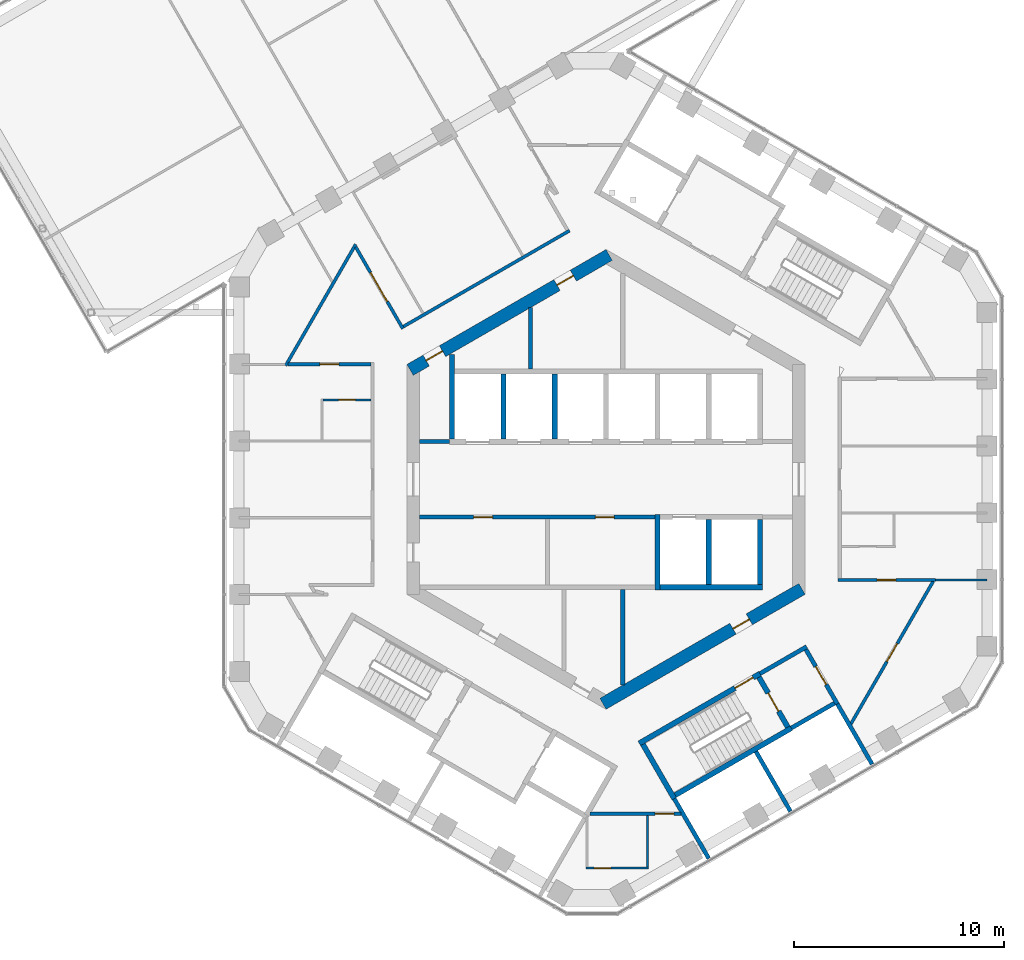
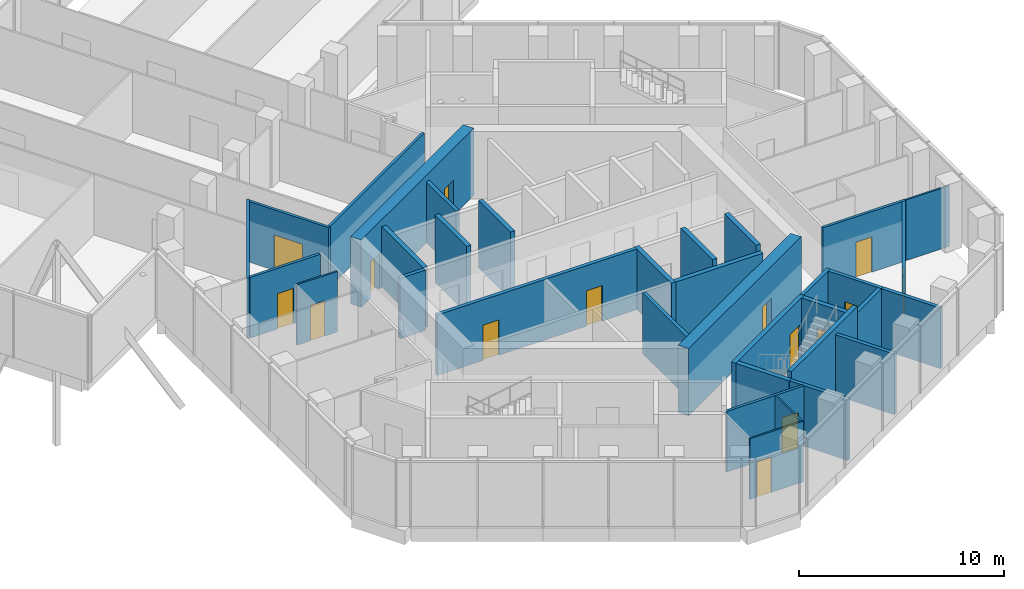
# One storey, part 16 of 21: 34 walls, 15 doors, 15 openings.
"""IFC4 building model written with IfcOpenShell, lengths in metres."""

from ifc_helpers import new_model, si_unit, direction, frame, frame_2d, origin, place, context, subcontext, project, spatial, rectangle, extrude, material, layer, layer_set, type_object, element, fill, save


model = new_model("IFC4")

# Units and contexts
model_context = context("Model", 3, precision=1e-05, world=origin(), true_north=direction((0.0, 1.0)))
body_context = subcontext(model_context, "Body", "Model", "MODEL_VIEW")
ifc_project = project(units=[si_unit("LENGTHUNIT", "METRE"), si_unit("AREAUNIT", "SQUARE_METRE"), si_unit("VOLUMEUNIT", "CUBIC_METRE"), si_unit("PLANEANGLEUNIT", "RADIAN"), si_unit("MASSUNIT", "GRAM", prefix="KILO")], contexts=[model_context])

# Site, building, storey
site_placement = place(None, origin())
site = spatial("IfcSite", under=ifc_project, at=site_placement, CompositionType="ELEMENT")
building_placement = place(site_placement, origin())
building = spatial("IfcBuilding", under=site, at=building_placement, Name="Ayvan Gate Tower", CompositionType="ELEMENT")
storey_placement = place(building_placement, frame((0.0, 0.0, 190.699951171875)))
storey = spatial("IfcBuildingStorey", under=building, at=storey_placement, Name="L51", CompositionType="ELEMENT", Elevation=190.699951171875)

# Wall, openings, doors
ifc_material_1 = material(Name="Concrete C60/75", Category="concrete")
ifc_layer_1 = layer(ifc_material_1, 0.60009765625)
ifc_layer_set_1 = layer_set([ifc_layer_1], Name="Concrete C60/75")
wall_type_1 = type_object("IfcWallType", Name="Core wall 600 C60/75", PredefinedType="SHEAR", material=ifc_layer_set_1)
wall_1_placement = place(storey_placement, frame((0.14990234375, 10.7099609375, 0.0), z_axis=(0.0, 0.0, 1.0), x_axis=(-0.866023993627, -0.500002442456, 0.0)))
wall_1 = element("IfcWall", 1, at=wall_1_placement, inside=storey, type_object=wall_type_1, Name="CORE-L51-2", PredefinedType="SHEAR", context=body_context, shape_type="SweptSolid", body=[
    extrude(rectangle(XDim=10.9697265625, YDim=0.60009765625, at=frame_2d((5.48486328125, 0.0))), origin(), (0.0, 0.0, 1.0), 4.0),
])
opening_1_placement = place(wall_1_placement, frame((9.182373046875, 0.0, 0.0)))
opening_1 = element("IfcOpeningElement", 2, at=opening_1_placement, cuts=wall_1, Name="Opening L51-D45", PredefinedType="OPENING", context=body_context, shape_type="SweptSolid", body=[
    extrude(rectangle(XDim=0.89990234375, YDim=2.10009765625, at=frame_2d((0.449951171875, 1.050048828125))), frame((0.0, 0.31005859375, 0.0), z_axis=(0.0, -1.0, 0.0), x_axis=(1.0, 0.0, 0.0)), (0.0, 0.0, 1.0), 0.6201171875),
])
opening_2_placement = place(wall_1_placement, frame((1.975341796875, 0.0, 0.0)))
opening_2 = element("IfcOpeningElement", 3, at=opening_2_placement, cuts=wall_1, Name="Opening L51-D46", PredefinedType="OPENING", context=body_context, shape_type="SweptSolid", body=[
    extrude(rectangle(XDim=0.89990234375, YDim=2.10009765625, at=frame_2d((0.449951171875, 1.050048828125))), frame((0.0, 0.31005859375, 0.0), z_axis=(0.0, -1.0, 0.0), x_axis=(1.0, 0.0, 0.0)), (0.0, 0.0, 1.0), 0.6201171875),
])
ifc_material_2 = material(Name="Timber door leaf", Category="wood")
door_type_1 = type_object("IfcDoorType", Name="DT-900", OperationType="NOTDEFINED", PredefinedType="DOOR", material=ifc_material_2)
door_1_placement = place(opening_1_placement, origin())
door_1 = element("IfcDoor", 4, at=door_1_placement, inside=storey, type_object=door_type_1, Name="CD-L51-45", OperationType="SINGLE_SWING_RIGHT", OverallHeight=2.10009765625, OverallWidth=0.89990234375, PredefinedType="DOOR", context=body_context, shape_type="SweptSolid", body=[
    extrude(rectangle(XDim=0.89990234375, YDim=2.10009765625, at=frame_2d((0.449951171875, 1.050048828125))), frame((0.0, 0.02490234375, 0.0), z_axis=(0.0, -1.0, 0.0), x_axis=(1.0, 0.0, 0.0)), (0.0, 0.0, 1.0), 0.050048828125),
])
fill(opening_1, door_1)
door_2_placement = place(opening_2_placement, origin())
door_2 = element("IfcDoor", 5, at=door_2_placement, inside=storey, type_object=door_type_1, Name="CD-L51-46", OperationType="SINGLE_SWING_LEFT", OverallHeight=2.10009765625, OverallWidth=0.89990234375, PredefinedType="DOOR", context=body_context, shape_type="SweptSolid", body=[
    extrude(rectangle(XDim=0.89990234375, YDim=2.10009765625, at=frame_2d((0.449951171875, 1.050048828125))), frame((0.0, 0.02490234375, 0.0), z_axis=(0.0, -1.0, 0.0), x_axis=(1.0, 0.0, 0.0)), (0.0, 0.0, 1.0), 0.050048828125),
])
fill(opening_2, door_2)

# Wall, opening, door
wall_2_placement = place(storey_placement, frame((-0.14990234375, -10.7099609375, 0.0), z_axis=(0.0, 0.0, 1.0), x_axis=(0.866023993627, 0.500002442456, 0.0)))
wall_2 = element("IfcWall", 6, at=wall_2_placement, inside=storey, type_object=wall_type_1, Name="CORE-L51-5", PredefinedType="SHEAR", context=body_context, shape_type="SweptSolid", body=[
    extrude(rectangle(XDim=10.9697265625, YDim=0.60009765625, at=frame_2d((5.48486328125, 0.0))), origin(), (0.0, 0.0, 1.0), 4.0),
])
opening_3_placement = place(wall_2_placement, frame((7.165771484375, 0.0, 0.0)))
opening_3 = element("IfcOpeningElement", 7, at=opening_3_placement, cuts=wall_2, Name="Opening L51-D50", PredefinedType="OPENING", context=body_context, shape_type="SweptSolid", body=[
    extrude(rectangle(XDim=0.89990234375, YDim=2.10009765625, at=frame_2d((0.449951171875, 1.050048828125))), frame((0.0, 0.31005859375, 0.0), z_axis=(0.0, -1.0, 0.0), x_axis=(1.0, 0.0, 0.0)), (0.0, 0.0, 1.0), 0.6201171875),
])
door_3_placement = place(opening_3_placement, origin())
door_3 = element("IfcDoor", 8, at=door_3_placement, inside=storey, type_object=door_type_1, Name="CD-L51-50", OperationType="SINGLE_SWING_LEFT", OverallHeight=2.10009765625, OverallWidth=0.89990234375, PredefinedType="DOOR", context=body_context, shape_type="SweptSolid", body=[
    extrude(rectangle(XDim=0.89990234375, YDim=2.10009765625, at=frame_2d((0.449951171875, 1.050048828125))), frame((0.0, 0.02490234375, 0.0), z_axis=(0.0, -1.0, 0.0), x_axis=(1.0, 0.0, 0.0)), (0.0, 0.0, 1.0), 0.050048828125),
])
fill(opening_3, door_3)

# Wall
ifc_material_3 = material(Name="Plasterboard on steel stud", Category="steel")
ifc_layer_2 = layer(ifc_material_3, 0.14990234375)
ifc_layer_set_2 = layer_set([ifc_layer_2], Name="Plasterboard on steel stud")
wall_type_2 = type_object("IfcWallType", Name="WT-CORR-150", PredefinedType="PARTITIONING", material=ifc_layer_set_2)
wall_3_placement = place(storey_placement, frame((-15.288330078125, 5.425537109375, 0.0), z_axis=(0.0, 0.0, 1.0), x_axis=(0.499991080761, 0.866030553248, 0.0)))
element("IfcWall", 9, at=wall_3_placement, inside=storey, type_object=wall_type_2, Name="IW-L51-006", PredefinedType="PARTITIONING", context=body_context, shape_type="SweptSolid", body=[
    extrude(rectangle(XDim=6.68701171875, YDim=0.14990234375, at=frame_2d((3.343505859375, 0.0))), origin(), (0.0, 0.0, 1.0), 3.60009765625),
])

# Wall, opening, door
wall_4_placement = place(storey_placement, frame((-11.94482421875, 11.0869140625, 0.0), z_axis=(0.0, 0.0, 1.0), x_axis=(0.499962028372, -0.866047325604, 0.0)))
wall_4 = element("IfcWall", 10, at=wall_4_placement, inside=storey, type_object=wall_type_2, Name="IW-L51-020", PredefinedType="PARTITIONING", context=body_context, shape_type="SweptSolid", body=[
    extrude(rectangle(XDim=4.498779296875, YDim=0.14990234375, at=frame_2d((2.24951171875, 0.0))), origin(), (0.0, 0.0, 1.0), 3.60009765625),
])
opening_4_placement = place(wall_4_placement, frame((1.411865234375, 0.0, 0.0)))
opening_4 = element("IfcOpeningElement", 11, at=opening_4_placement, cuts=wall_4, Name="Opening L51-D35", PredefinedType="OPENING", context=body_context, shape_type="SweptSolid", body=[
    extrude(rectangle(XDim=1.60009765625, YDim=2.10009765625, at=frame_2d((0.800048828125, 1.050048828125))), frame((0.0, 0.0849609375, 0.0), z_axis=(0.0, -1.0, 0.0), x_axis=(1.0, 0.0, 0.0)), (0.0, 0.0, 1.0), 0.169921875),
])
door_type_2 = type_object("IfcDoorType", Name="DT-1600", OperationType="NOTDEFINED", PredefinedType="DOOR", material=ifc_material_2)
door_4_placement = place(opening_4_placement, origin())
door_4 = element("IfcDoor", 12, at=door_4_placement, inside=storey, type_object=door_type_2, Name="ID-L51-035", OperationType="SINGLE_SWING_RIGHT", OverallHeight=2.10009765625, OverallWidth=1.60009765625, PredefinedType="DOOR", context=body_context, shape_type="SweptSolid", body=[
    extrude(rectangle(XDim=1.60009765625, YDim=2.10009765625, at=frame_2d((0.800048828125, 1.050048828125))), frame((0.0, 0.02490234375, 0.0), z_axis=(0.0, -1.0, 0.0), x_axis=(1.0, 0.0, 0.0)), (0.0, 0.0, 1.0), 0.050048828125),
])
fill(opening_4, door_4)

wall_5_placement = place(storey_placement, frame((-11.22509765625, 5.490478515625, 0.0), z_axis=(0.0, 0.0, 1.0), x_axis=(-1.0, 0.0, 0.0)))
wall_5 = element("IfcWall", 13, at=wall_5_placement, inside=storey, type_object=wall_type_2, Name="IW-L51-024", PredefinedType="PARTITIONING", context=body_context, shape_type="SweptSolid", body=[
    extrude(rectangle(XDim=3.95068359375, YDim=0.14990234375, at=frame_2d((1.975341796875, 0.0))), origin(), (0.0, 0.0, 1.0), 3.60009765625),
])
opening_5_placement = place(wall_5_placement, frame((1.525390625, 0.0, 0.0)))
opening_5 = element("IfcOpeningElement", 14, at=opening_5_placement, cuts=wall_5, Name="Opening L51-D26", PredefinedType="OPENING", context=body_context, shape_type="SweptSolid", body=[
    extrude(rectangle(XDim=0.89990234375, YDim=2.10009765625, at=frame_2d((0.449951171875, 1.050048828125))), frame((0.0, 0.0849609375, 0.0), z_axis=(0.0, -1.0, 0.0), x_axis=(1.0, 0.0, 0.0)), (0.0, 0.0, 1.0), 0.169921875),
])
door_5_placement = place(opening_5_placement, origin())
door_5 = element("IfcDoor", 15, at=door_5_placement, inside=storey, type_object=door_type_1, Name="ID-L51-026", OperationType="SINGLE_SWING_LEFT", OverallHeight=2.10009765625, OverallWidth=0.89990234375, PredefinedType="DOOR", context=body_context, shape_type="SweptSolid", body=[
    extrude(rectangle(XDim=0.89990234375, YDim=2.10009765625, at=frame_2d((0.449951171875, 1.050048828125))), frame((0.0, 0.02490234375, 0.0), z_axis=(0.0, -1.0, 0.0), x_axis=(1.0, 0.0, 0.0)), (0.0, 0.0, 1.0), 0.050048828125),
])
fill(opening_5, door_5)

# Wall
wall_6_placement = place(storey_placement, frame((-9.66796875, 7.293212890625, 0.0), z_axis=(0.0, 0.0, 1.0), x_axis=(0.866028335764, 0.499994921628, 0.0)))
element("IfcWall", 16, at=wall_6_placement, inside=storey, type_object=wall_type_2, Name="IW-L51-027", PredefinedType="PARTITIONING", context=body_context, shape_type="SweptSolid", body=[
    extrude(rectangle(XDim=9.15234375, YDim=0.14990234375, at=frame_2d((4.576171875, 0.0))), origin(), (0.0, 0.0, 1.0), 3.60009765625),
])

# Wall, opening, door
wall_7_placement = place(storey_placement, frame((-0.771484375, -15.952880859375, 0.0), z_axis=(0.0, 0.0, 1.0), x_axis=(1.0, 0.0, 0.0)))
wall_7 = element("IfcWall", 17, at=wall_7_placement, inside=storey, type_object=wall_type_2, Name="IW-L51-071", PredefinedType="PARTITIONING", context=body_context, shape_type="SweptSolid", body=[
    extrude(rectangle(XDim=4.33935546875, YDim=0.14990234375, at=frame_2d((2.169677734375, 0.0))), origin(), (0.0, 0.0, 1.0), 3.60009765625),
])
opening_6_placement = place(wall_7_placement, frame((3.113037109375, 0.0, 0.0)))
opening_6 = element("IfcOpeningElement", 18, at=opening_6_placement, cuts=wall_7, Name="Opening L51-D31", PredefinedType="OPENING", context=body_context, shape_type="SweptSolid", body=[
    extrude(rectangle(XDim=0.89990234375, YDim=2.10009765625, at=frame_2d((0.449951171875, 1.050048828125))), frame((0.0, 0.0849609375, 0.0), z_axis=(0.0, -1.0, 0.0), x_axis=(1.0, 0.0, 0.0)), (0.0, 0.0, 1.0), 0.169921875),
])
door_6_placement = place(opening_6_placement, origin())
door_6 = element("IfcDoor", 19, at=door_6_placement, inside=storey, type_object=door_type_1, Name="ID-L51-031", OperationType="SINGLE_SWING_RIGHT", OverallHeight=2.10009765625, OverallWidth=0.89990234375, PredefinedType="DOOR", context=body_context, shape_type="SweptSolid", body=[
    extrude(rectangle(XDim=0.89990234375, YDim=2.10009765625, at=frame_2d((0.449951171875, 1.050048828125))), frame((0.0, 0.02490234375, 0.0), z_axis=(0.0, -1.0, 0.0), x_axis=(1.0, 0.0, 0.0)), (0.0, 0.0, 1.0), 0.050048828125),
])
fill(opening_6, door_6)

wall_8_placement = place(storey_placement, frame((11.074951171875, -4.80126953125, 0.0), z_axis=(0.0, 0.0, 1.0), x_axis=(1.0, 0.0, 0.0)))
wall_8 = element("IfcWall", 20, at=wall_8_placement, inside=storey, type_object=wall_type_2, Name="IW-L51-100", PredefinedType="PARTITIONING", context=body_context, shape_type="SweptSolid", body=[
    extrude(rectangle(XDim=4.64892578125, YDim=0.14990234375, at=frame_2d((2.324462890625, 0.0))), origin(), (0.0, 0.0, 1.0), 3.60009765625),
])
opening_7_placement = place(wall_8_placement, frame((1.857177734375, 0.0, 0.0)))
opening_7 = element("IfcOpeningElement", 21, at=opening_7_placement, cuts=wall_8, Name="Opening L51-D21", PredefinedType="OPENING", context=body_context, shape_type="SweptSolid", body=[
    extrude(rectangle(XDim=0.89990234375, YDim=2.10009765625, at=frame_2d((0.449951171875, 1.050048828125))), frame((0.0, 0.0849609375, 0.0), z_axis=(0.0, -1.0, 0.0), x_axis=(1.0, 0.0, 0.0)), (0.0, 0.0, 1.0), 0.169921875),
])
door_7_placement = place(opening_7_placement, origin())
door_7 = element("IfcDoor", 22, at=door_7_placement, inside=storey, type_object=door_type_1, Name="ID-L51-021", OperationType="SINGLE_SWING_RIGHT", OverallHeight=2.10009765625, OverallWidth=0.89990234375, PredefinedType="DOOR", context=body_context, shape_type="SweptSolid", body=[
    extrude(rectangle(XDim=0.89990234375, YDim=2.10009765625, at=frame_2d((0.449951171875, 1.050048828125))), frame((0.0, 0.02490234375, 0.0), z_axis=(0.0, -1.0, 0.0), x_axis=(1.0, 0.0, 0.0)), (0.0, 0.0, 1.0), 0.050048828125),
])
fill(opening_7, door_7)

wall_9_placement = place(storey_placement, frame((15.611328125, -4.8662109375, 0.0), z_axis=(0.0, 0.0, 1.0), x_axis=(-0.500001468015, -0.866024556224, 0.0)))
wall_9 = element("IfcWall", 23, at=wall_9_placement, inside=storey, type_object=wall_type_2, Name="IW-L51-112", PredefinedType="PARTITIONING", context=body_context, shape_type="SweptSolid", body=[
    extrude(rectangle(XDim=7.85205078125, YDim=0.14990234375, at=frame_2d((3.926025390625, 0.0))), origin(), (0.0, 0.0, 1.0), 3.60009765625),
])
opening_8_placement = place(wall_9_placement, frame((3.426025390625, 0.0, 0.0)))
opening_8 = element("IfcOpeningElement", 24, at=opening_8_placement, cuts=wall_9, Name="Opening L51-D33", PredefinedType="OPENING", context=body_context, shape_type="SweptSolid", body=[
    extrude(rectangle(XDim=1.0, YDim=2.10009765625, at=frame_2d((0.5, 1.050048828125))), frame((0.0, 0.0849609375, 0.0), z_axis=(0.0, -1.0, 0.0), x_axis=(1.0, 0.0, 0.0)), (0.0, 0.0, 1.0), 0.169921875),
])
door_type_3 = type_object("IfcDoorType", Name="DT-1000", OperationType="NOTDEFINED", PredefinedType="DOOR", material=ifc_material_2)
door_8_placement = place(opening_8_placement, origin())
door_8 = element("IfcDoor", 25, at=door_8_placement, inside=storey, type_object=door_type_3, Name="ID-L51-033", OperationType="SINGLE_SWING_RIGHT", OverallHeight=2.10009765625, OverallWidth=1.0, PredefinedType="DOOR", context=body_context, shape_type="SweptSolid", body=[
    extrude(rectangle(XDim=1.0, YDim=2.10009765625, at=frame_2d((0.5, 1.050048828125))), frame((0.0, 0.02490234375, 0.0), z_axis=(0.0, -1.0, 0.0), x_axis=(1.0, 0.0, 0.0)), (0.0, 0.0, 1.0), 0.050048828125),
])
fill(opening_8, door_8)

ifc_layer_3 = layer(ifc_material_3, 0.10009765625)
ifc_layer_set_3 = layer_set([ifc_layer_3], Name="Plasterboard on steel stud")
wall_type_3 = type_object("IfcWallType", Name="WT-PART-100", PredefinedType="PARTITIONING", material=ifc_layer_set_3)
wall_10_placement = place(storey_placement, frame((-11.22509765625, 3.79052734375, 0.0), z_axis=(0.0, 0.0, 1.0), x_axis=(-1.0, 0.0, 0.0)))
wall_10 = element("IfcWall", 26, at=wall_10_placement, inside=storey, type_object=wall_type_3, Name="IW-L51-023", PredefinedType="PARTITIONING", context=body_context, shape_type="SweptSolid", body=[
    extrude(rectangle(XDim=2.27490234375, YDim=0.10009765625, at=frame_2d((1.137451171875, 0.0))), origin(), (0.0, 0.0, 1.0), 3.60009765625),
])
opening_9_placement = place(wall_10_placement, frame((0.737548828125, 0.0, 0.0)))
opening_9 = element("IfcOpeningElement", 27, at=opening_9_placement, cuts=wall_10, Name="Opening L51-D27", PredefinedType="OPENING", context=body_context, shape_type="SweptSolid", body=[
    extrude(rectangle(XDim=0.800048828125, YDim=2.10009765625, at=frame_2d((0.39990234375, 1.050048828125))), frame((0.0, 0.06005859375, 0.0), z_axis=(0.0, -1.0, 0.0), x_axis=(1.0, 0.0, 0.0)), (0.0, 0.0, 1.0), 0.1201171875),
])
door_type_4 = type_object("IfcDoorType", Name="DT-800", OperationType="NOTDEFINED", PredefinedType="DOOR", material=ifc_material_2)
door_9_placement = place(opening_9_placement, origin())
door_9 = element("IfcDoor", 28, at=door_9_placement, inside=storey, type_object=door_type_4, Name="ID-L51-027", OperationType="SINGLE_SWING_RIGHT", OverallHeight=2.10009765625, OverallWidth=0.800048828125, PredefinedType="DOOR", context=body_context, shape_type="SweptSolid", body=[
    extrude(rectangle(XDim=0.800048828125, YDim=2.10009765625, at=frame_2d((0.39990234375, 1.050048828125))), frame((0.0, 0.02490234375, 0.0), z_axis=(0.0, -1.0, 0.0), x_axis=(1.0, 0.0, 0.0)), (0.0, 0.0, 1.0), 0.050048828125),
])
fill(opening_9, door_9)

wall_11_placement = place(storey_placement, frame((-0.9638671875, -18.552978515625, 0.0), z_axis=(0.0, 0.0, 1.0), x_axis=(1.0, 0.0, 0.0)))
wall_11 = element("IfcWall", 29, at=wall_11_placement, inside=storey, type_object=wall_type_3, Name="IW-L51-059", PredefinedType="PARTITIONING", context=body_context, shape_type="SweptSolid", body=[
    extrude(rectangle(XDim=2.9990234375, YDim=0.10009765625, at=frame_2d((1.49951171875, 0.0))), origin(), (0.0, 0.0, 1.0), 3.60009765625),
])
opening_10_placement = place(wall_11_placement, frame((0.399658203125, 0.0, 0.0)))
opening_10 = element("IfcOpeningElement", 30, at=opening_10_placement, cuts=wall_11, Name="Opening L51-D32", PredefinedType="OPENING", context=body_context, shape_type="SweptSolid", body=[
    extrude(rectangle(XDim=0.800048828125, YDim=2.10009765625, at=frame_2d((0.39990234375, 1.050048828125))), frame((0.0, 0.06005859375, 0.0), z_axis=(0.0, -1.0, 0.0), x_axis=(1.0, 0.0, 0.0)), (0.0, 0.0, 1.0), 0.1201171875),
])
door_10_placement = place(opening_10_placement, origin())
door_10 = element("IfcDoor", 31, at=door_10_placement, inside=storey, type_object=door_type_4, Name="ID-L51-032", OperationType="SINGLE_SWING_LEFT", OverallHeight=2.10009765625, OverallWidth=0.800048828125, PredefinedType="DOOR", context=body_context, shape_type="SweptSolid", body=[
    extrude(rectangle(XDim=0.800048828125, YDim=2.10009765625, at=frame_2d((0.39990234375, 1.050048828125))), frame((0.0, 0.02490234375, 0.0), z_axis=(0.0, -1.0, 0.0), x_axis=(1.0, 0.0, 0.0)), (0.0, 0.0, 1.0), 0.050048828125),
])
fill(opening_10, door_10)

# Walls
wall_12_placement = place(storey_placement, frame((1.985107421875, -18.5029296875, 0.0), z_axis=(0.0, 0.0, 1.0), x_axis=(0.0, 1.0, 0.0)))
element("IfcWall", 32, at=wall_12_placement, inside=storey, type_object=wall_type_3, Name="IW-L51-070", PredefinedType="PARTITIONING", context=body_context, shape_type="SweptSolid", body=[
    extrude(rectangle(XDim=2.47509765625, YDim=0.10009765625, at=frame_2d((1.237548828125, 0.0))), origin(), (0.0, 0.0, 1.0), 3.60009765625),
])
wall_13_placement = place(storey_placement, frame((18.1865234375, -4.80126953125, 0.0), z_axis=(0.0, 0.0, 1.0), x_axis=(-1.0, 0.0, 0.0)))
element("IfcWall", 33, at=wall_13_placement, inside=storey, type_object=wall_type_3, Name="IW-L51-113", PredefinedType="PARTITIONING", context=body_context, shape_type="SweptSolid", body=[
    extrude(rectangle(XDim=2.462646484375, YDim=0.10009765625, at=frame_2d((1.2314453125, 0.0))), origin(), (0.0, 0.0, 1.0), 3.60009765625),
])
ifc_layer_4 = layer(ifc_material_3, 0.199951171875)
ifc_layer_set_4 = layer_set([ifc_layer_4], Name="Plasterboard on steel stud")
wall_type_4 = type_object("IfcWallType", Name="WT-PLUMB-200", PredefinedType="PLUMBINGWALL", material=ifc_layer_set_4)
wall_14_placement = place(storey_placement, frame((3.255615234375, -15.23876953125, 0.0), z_axis=(0.0, 0.0, 1.0), x_axis=(0.499949127178, -0.86605477323, 0.0)))
element("IfcWall", 34, at=wall_14_placement, inside=storey, type_object=wall_type_4, Name="IW-L51-077", PredefinedType="PLUMBINGWALL", context=body_context, shape_type="SweptSolid", body=[
    extrude(rectangle(XDim=3.294189453125, YDim=0.199951171875, at=frame_2d((1.64697265625, 0.0))), origin(), (0.0, 0.0, 1.0), 3.60009765625),
])
wall_15_placement = place(storey_placement, frame((7.152587890625, -12.98876953125, 0.0), z_axis=(0.0, 0.0, 1.0), x_axis=(0.5000047107, -0.866022684043, 0.0)))
element("IfcWall", 35, at=wall_15_placement, inside=storey, type_object=wall_type_4, Name="IW-L51-086", PredefinedType="PLUMBINGWALL", context=body_context, shape_type="SweptSolid", body=[
    extrude(rectangle(XDim=3.29443359375, YDim=0.199951171875, at=frame_2d((1.647216796875, 0.0))), origin(), (0.0, 0.0, 1.0), 3.60009765625),
])
wall_16_placement = place(storey_placement, frame((10.900634765625, -10.6806640625, 0.0), z_axis=(0.0, 0.0, 1.0), x_axis=(-0.866007538022, -0.500030943131, 0.0)))
element("IfcWall", 36, at=wall_16_placement, inside=storey, type_object=wall_type_4, Name="IW-L51-098", PredefinedType="PLUMBINGWALL", context=body_context, shape_type="SweptSolid", body=[
    extrude(rectangle(XDim=2.374755859375, YDim=0.199951171875, at=frame_2d((1.1875, 0.0))), origin(), (0.0, 0.0, 1.0), 3.60009765625),
])
wall_17_placement = place(storey_placement, frame((11.037353515625, -10.71728515625, 0.0), z_axis=(0.0, 0.0, 1.0), x_axis=(0.500015331954, -0.866016551696, 0.0)))
element("IfcWall", 37, at=wall_17_placement, inside=storey, type_object=wall_type_4, Name="IW-L51-099", PredefinedType="PLUMBINGWALL", context=body_context, shape_type="SweptSolid", body=[
    extrude(rectangle(XDim=3.3193359375, YDim=0.199951171875, at=frame_2d((1.65966796875, 0.0))), origin(), (0.0, 0.0, 1.0), 3.60009765625),
])
ifc_layer_5 = layer(ifc_material_3, 0.199951171875)
ifc_layer_set_5 = layer_set([ifc_layer_5], Name="Plasterboard on steel stud")
wall_type_5 = type_object("IfcWallType", Name="WT-RATED-200", PredefinedType="PARTITIONING", material=ifc_layer_set_5)
wall_18_placement = place(storey_placement, frame((-8.89990234375, 1.800048828125, 0.0), z_axis=(0.0, 0.0, 1.0), x_axis=(1.0, 0.0, 0.0)))
element("IfcWall", 38, at=wall_18_placement, inside=storey, type_object=wall_type_5, Name="IW-L51-028", PredefinedType="PARTITIONING", context=body_context, shape_type="SweptSolid", body=[
    extrude(rectangle(XDim=1.425048828125, YDim=0.199951171875, at=frame_2d((0.71240234375, 0.0))), origin(), (0.0, 0.0, 1.0), 3.60009765625),
])
wall_19_placement = place(storey_placement, frame((-3.60009765625, 8.198486328125, 0.0), z_axis=(0.0, 0.0, 1.0), x_axis=(0.0, -1.0, 0.0)))
element("IfcWall", 39, at=wall_19_placement, inside=storey, type_object=wall_type_5, Name="IW-L51-044", PredefinedType="PARTITIONING", context=body_context, shape_type="SweptSolid", body=[
    extrude(rectangle(XDim=2.923583984375, YDim=0.199951171875, at=frame_2d((1.4619140625, 0.0))), origin(), (0.0, 0.0, 1.0), 3.60009765625),
])

# Wall, openings, doors
wall_20_placement = place(storey_placement, frame((-8.89990234375, -1.800048828125, 0.0), z_axis=(0.0, 0.0, 1.0), x_axis=(1.0, 0.0, 0.0)))
wall_20 = element("IfcWall", 40, at=wall_20_placement, inside=storey, type_object=wall_type_5, Name="IW-L51-047", PredefinedType="PARTITIONING", context=body_context, shape_type="SweptSolid", body=[
    extrude(rectangle(XDim=11.22509765625, YDim=0.199951171875, at=frame_2d((5.612548828125, 0.0))), origin(), (0.0, 0.0, 1.0), 3.60009765625),
])
opening_11_placement = place(wall_20_placement, frame((2.5849609375, 0.0, 0.0)))
opening_11 = element("IfcOpeningElement", 41, at=opening_11_placement, cuts=wall_20, Name="Opening L51-D08", PredefinedType="OPENING", context=body_context, shape_type="SweptSolid", body=[
    extrude(rectangle(XDim=0.89990234375, YDim=2.10009765625, at=frame_2d((0.449951171875, 1.050048828125))), frame((0.0, 0.10986328125, 0.0), z_axis=(0.0, -1.0, 0.0), x_axis=(1.0, 0.0, 0.0)), (0.0, 0.0, 1.0), 0.219970703125),
])
opening_12_placement = place(wall_20_placement, frame((8.387451171875, 0.0, 0.0)))
opening_12 = element("IfcOpeningElement", 42, at=opening_12_placement, cuts=wall_20, Name="Opening L51-D09", PredefinedType="OPENING", context=body_context, shape_type="SweptSolid", body=[
    extrude(rectangle(XDim=0.89990234375, YDim=2.10009765625, at=frame_2d((0.449951171875, 1.050048828125))), frame((0.0, 0.10986328125, 0.0), z_axis=(0.0, -1.0, 0.0), x_axis=(1.0, 0.0, 0.0)), (0.0, 0.0, 1.0), 0.219970703125),
])
door_11_placement = place(opening_11_placement, origin())
door_11 = element("IfcDoor", 43, at=door_11_placement, inside=storey, type_object=door_type_1, Name="ID-L51-008", OperationType="SINGLE_SWING_LEFT", OverallHeight=2.10009765625, OverallWidth=0.89990234375, PredefinedType="DOOR", context=body_context, shape_type="SweptSolid", body=[
    extrude(rectangle(XDim=0.89990234375, YDim=2.10009765625, at=frame_2d((0.449951171875, 1.050048828125))), frame((0.0, 0.02490234375, 0.0), z_axis=(0.0, -1.0, 0.0), x_axis=(1.0, 0.0, 0.0)), (0.0, 0.0, 1.0), 0.050048828125),
])
fill(opening_11, door_11)
door_12_placement = place(opening_12_placement, origin())
door_12 = element("IfcDoor", 44, at=door_12_placement, inside=storey, type_object=door_type_1, Name="ID-L51-009", OperationType="SINGLE_SWING_RIGHT", OverallHeight=2.10009765625, OverallWidth=0.89990234375, PredefinedType="DOOR", context=body_context, shape_type="SweptSolid", body=[
    extrude(rectangle(XDim=0.89990234375, YDim=2.10009765625, at=frame_2d((0.449951171875, 1.050048828125))), frame((0.0, 0.02490234375, 0.0), z_axis=(0.0, -1.0, 0.0), x_axis=(1.0, 0.0, 0.0)), (0.0, 0.0, 1.0), 0.050048828125),
])
fill(opening_12, door_12)

# Walls
wall_21_placement = place(storey_placement, frame((0.800048828125, -5.25, 0.0), z_axis=(0.0, 0.0, 1.0), x_axis=(0.0, -1.0, 0.0)))
element("IfcWall", 45, at=wall_21_placement, inside=storey, type_object=wall_type_5, Name="IW-L51-065", PredefinedType="PARTITIONING", context=body_context, shape_type="SweptSolid", body=[
    extrude(rectangle(XDim=4.56494140625, YDim=0.199951171875, at=frame_2d((2.282470703125, 0.0))), origin(), (0.0, 0.0, 1.0), 3.60009765625),
])
wall_22_placement = place(storey_placement, frame((7.343994140625, -9.27001953125, 0.0), z_axis=(0.0, 0.0, 1.0), x_axis=(0.866005588531, 0.500034319456, 0.0)))
element("IfcWall", 46, at=wall_22_placement, inside=storey, type_object=wall_type_5, Name="IW-L51-089", PredefinedType="PARTITIONING", context=body_context, shape_type="SweptSolid", body=[
    extrude(rectangle(XDim=2.574951171875, YDim=0.199951171875, at=frame_2d((1.28759765625, 0.0))), origin(), (0.0, 0.0, 1.0), 3.60009765625),
])

# Wall, opening, door
wall_23_placement = place(storey_placement, frame((9.537353515625, -8.119140625, 0.0), z_axis=(0.0, 0.0, 1.0), x_axis=(0.499990139034, -0.866031096941, 0.0)))
wall_23 = element("IfcWall", 47, at=wall_23_placement, inside=storey, type_object=wall_type_5, Name="IW-L51-097", PredefinedType="PARTITIONING", context=body_context, shape_type="SweptSolid", body=[
    extrude(rectangle(XDim=3.0, YDim=0.199951171875, at=frame_2d((1.5, 0.0))), origin(), (0.0, 0.0, 1.0), 3.60009765625),
])
opening_13_placement = place(wall_23_placement, frame((0.93505859375, 0.0, 0.0)))
opening_13 = element("IfcOpeningElement", 48, at=opening_13_placement, cuts=wall_23, Name="Opening L51-D19", PredefinedType="OPENING", context=body_context, shape_type="SweptSolid", body=[
    extrude(rectangle(XDim=1.0, YDim=2.10009765625, at=frame_2d((0.5, 1.050048828125))), frame((0.0, 0.10986328125, 0.0), z_axis=(0.0, -1.0, 0.0), x_axis=(1.0, 0.0, 0.0)), (0.0, 0.0, 1.0), 0.219970703125),
])
door_13_placement = place(opening_13_placement, origin())
door_13 = element("IfcDoor", 49, at=door_13_placement, inside=storey, type_object=door_type_3, Name="ID-L51-019", OperationType="SINGLE_SWING_RIGHT", OverallHeight=2.10009765625, OverallWidth=1.0, PredefinedType="DOOR", context=body_context, shape_type="SweptSolid", body=[
    extrude(rectangle(XDim=1.0, YDim=2.10009765625, at=frame_2d((0.5, 1.050048828125))), frame((0.0, 0.02490234375, 0.0), z_axis=(0.0, -1.0, 0.0), x_axis=(1.0, 0.0, 0.0)), (0.0, 0.0, 1.0), 0.050048828125),
])
fill(opening_13, door_13)

# Walls
ifc_material_4 = material(Name="Concrete C50/60", Category="concrete")
ifc_layer_6 = layer(ifc_material_4, 0.25)
ifc_layer_set_6 = layer_set([ifc_layer_6], Name="Concrete C50/60")
wall_type_6 = type_object("IfcWallType", Name="WT-RC-250", PredefinedType="SHEAR", material=ifc_layer_set_6)
wall_24_placement = place(storey_placement, frame((-7.35009765625, 1.925048828125, 0.0), z_axis=(0.0, 0.0, 1.0), x_axis=(0.0, 1.0, 0.0)))
element("IfcWall", 50, at=wall_24_placement, inside=storey, type_object=wall_type_6, Name="IW-L51-036", PredefinedType="SHEAR", context=body_context, shape_type="SweptSolid", body=[
    extrude(rectangle(XDim=4.0361328125, YDim=0.25, at=frame_2d((2.01806640625, 0.0))), origin(), (0.0, 0.0, 1.0), 3.60009765625),
])
for number, where, z_axis, x_axis, name in (
    (51, (-4.89990234375, 5.02490234375, 0.0), (0.0, 0.0, 1.0), (0.0, -1.0, 0.0), "IW-L51-041"),
    (52, (-2.449951171875, 5.02490234375, 0.0), (0.0, 0.0, 1.0), (0.0, -1.0, 0.0), "IW-L51-052"),
):
    element("IfcWall", number, at=place(storey_placement, frame(where, z_axis=z_axis, x_axis=x_axis)), inside=storey, type_object=wall_type_6, Name=name, PredefinedType="SHEAR", context=body_context, shape_type="SweptSolid", body=[
        extrude(rectangle(XDim=3.099853515625, YDim=0.25, at=frame_2d((1.5498046875, 0.0))), origin(), (0.0, 0.0, 1.0), 4.0),
    ])

# Wall, opening, door
wall_25_placement = place(storey_placement, frame((1.584716796875, -12.594970703125, 0.0), z_axis=(0.0, 0.0, 1.0), x_axis=(0.866036417653, 0.499980922934, 0.0)))
wall_25 = element("IfcWall", 53, at=wall_25_placement, inside=storey, type_object=wall_type_6, Name="IW-L51-069", PredefinedType="SHEAR", context=body_context, shape_type="SweptSolid", body=[
    extrude(rectangle(XDim=6.650146484375, YDim=0.25, at=frame_2d((3.3251953125, 0.0))), origin(), (0.0, 0.0, 1.0), 3.60009765625),
])
opening_14_placement = place(wall_25_placement, frame((5.27490234375, 0.0, 0.0)))
opening_14 = element("IfcOpeningElement", 54, at=opening_14_placement, cuts=wall_25, Name="Opening L51-D18", PredefinedType="OPENING", context=body_context, shape_type="SweptSolid", body=[
    extrude(rectangle(XDim=1.0, YDim=2.10009765625, at=frame_2d((0.5, 1.050048828125))), frame((0.0, 0.135009765625, 0.0), z_axis=(0.0, -1.0, 0.0), x_axis=(1.0, 0.0, 0.0)), (0.0, 0.0, 1.0), 0.27001953125),
])
door_14_placement = place(opening_14_placement, origin())
door_14 = element("IfcDoor", 55, at=door_14_placement, inside=storey, type_object=door_type_3, Name="ID-L51-018", OperationType="SINGLE_SWING_LEFT", OverallHeight=2.10009765625, OverallWidth=1.0, PredefinedType="DOOR", context=body_context, shape_type="SweptSolid", body=[
    extrude(rectangle(XDim=1.0, YDim=2.10009765625, at=frame_2d((0.5, 1.050048828125))), frame((0.0, 0.02490234375, 0.0), z_axis=(0.0, -1.0, 0.0), x_axis=(1.0, 0.0, 0.0)), (0.0, 0.0, 1.0), 0.050048828125),
])
fill(opening_14, door_14)

# Walls
wall_26_placement = place(storey_placement, frame((2.449951171875, -5.27490234375, 0.0), z_axis=(0.0, 0.0, 1.0), x_axis=(0.0, 1.0, 0.0)))
element("IfcWall", 56, at=wall_26_placement, inside=storey, type_object=wall_type_6, Name="IW-L51-072", PredefinedType="SHEAR", context=body_context, shape_type="SweptSolid", body=[
    extrude(rectangle(XDim=3.599853515625, YDim=0.25, at=frame_2d((1.7998046875, 0.0))), origin(), (0.0, 0.0, 1.0), 3.60009765625),
])
wall_27_placement = place(storey_placement, frame((3.255615234375, -15.23876953125, 0.0), z_axis=(0.0, 0.0, 1.0), x_axis=(-0.50002537861, 0.866010750942, 0.0)))
element("IfcWall", 57, at=wall_27_placement, inside=storey, type_object=wall_type_6, Name="IW-L51-076", PredefinedType="SHEAR", context=body_context, shape_type="SweptSolid", body=[
    extrude(rectangle(XDim=2.999755859375, YDim=0.25, at=frame_2d((1.5, 0.0))), origin(), (0.0, 0.0, 1.0), 3.60009765625),
])
wall_28_placement = place(storey_placement, frame((2.574951171875, -5.14990234375, 0.0), z_axis=(0.0, 0.0, 1.0), x_axis=(1.0, 0.0, 0.0)))
element("IfcWall", 58, at=wall_28_placement, inside=storey, type_object=wall_type_6, Name="IW-L51-080", PredefinedType="SHEAR", context=body_context, shape_type="SweptSolid", body=[
    extrude(rectangle(XDim=4.900146484375, YDim=0.25, at=frame_2d((2.4501953125, 0.0))), origin(), (0.0, 0.0, 1.0), 3.60009765625),
])
wall_29_placement = place(storey_placement, frame((4.89990234375, -1.925048828125, 0.0), z_axis=(0.0, 0.0, 1.0), x_axis=(0.0, -1.0, 0.0)))
element("IfcWall", 59, at=wall_29_placement, inside=storey, type_object=wall_type_6, Name="IW-L51-081", PredefinedType="SHEAR", context=body_context, shape_type="SweptSolid", body=[
    extrude(rectangle(XDim=3.099853515625, YDim=0.25, at=frame_2d((1.5498046875, 0.0))), origin(), (0.0, 0.0, 1.0), 4.0),
])
wall_30_placement = place(storey_placement, frame((3.30126953125, -15.068115234375, 0.0), z_axis=(0.0, 0.0, 1.0), x_axis=(0.866035036182, 0.499983315828, 0.0)))
element("IfcWall", 60, at=wall_30_placement, inside=storey, type_object=wall_type_6, Name="IW-L51-087", PredefinedType="SHEAR", context=body_context, shape_type="SweptSolid", body=[
    extrude(rectangle(XDim=6.400146484375, YDim=0.25, at=frame_2d((3.2001953125, 0.0))), origin(), (0.0, 0.0, 1.0), 4.0),
])

# Wall, opening, door
wall_31_placement = place(storey_placement, frame((7.298095703125, -9.44091796875, 0.0), z_axis=(0.0, 0.0, 1.0), x_axis=(0.500034990121, -0.866005201286, 0.0)))
wall_31 = element("IfcWall", 61, at=wall_31_placement, inside=storey, type_object=wall_type_6, Name="IW-L51-088", PredefinedType="SHEAR", context=body_context, shape_type="SweptSolid", body=[
    extrude(rectangle(XDim=2.749755859375, YDim=0.25, at=frame_2d((1.375, 0.0))), origin(), (0.0, 0.0, 1.0), 3.60009765625),
])
opening_15_placement = place(wall_31_placement, frame((0.875, 0.0, 0.0)))
opening_15 = element("IfcOpeningElement", 62, at=opening_15_placement, cuts=wall_31, Name="Opening L51-D20", PredefinedType="OPENING", context=body_context, shape_type="SweptSolid", body=[
    extrude(rectangle(XDim=1.0, YDim=2.10009765625, at=frame_2d((0.5, 1.050048828125))), frame((0.0, 0.135009765625, 0.0), z_axis=(0.0, -1.0, 0.0), x_axis=(1.0, 0.0, 0.0)), (0.0, 0.0, 1.0), 0.27001953125),
])
door_15_placement = place(opening_15_placement, origin())
door_15 = element("IfcDoor", 63, at=door_15_placement, inside=storey, type_object=door_type_3, Name="ID-L51-020", OperationType="SINGLE_SWING_LEFT", OverallHeight=2.10009765625, OverallWidth=1.0, PredefinedType="DOOR", context=body_context, shape_type="SweptSolid", body=[
    extrude(rectangle(XDim=1.0, YDim=2.10009765625, at=frame_2d((0.5, 1.050048828125))), frame((0.0, 0.02490234375, 0.0), z_axis=(0.0, -1.0, 0.0), x_axis=(1.0, 0.0, 0.0)), (0.0, 0.0, 1.0), 0.050048828125),
])
fill(opening_15, door_15)

# Wall
wall_32_placement = place(storey_placement, frame((7.35009765625, -1.925048828125, 0.0), z_axis=(0.0, 0.0, 1.0), x_axis=(0.0, -1.0, 0.0)))
element("IfcWall", 64, at=wall_32_placement, inside=storey, type_object=wall_type_6, Name="IW-L51-091", PredefinedType="SHEAR", context=body_context, shape_type="SweptSolid", body=[
    extrude(rectangle(XDim=3.099853515625, YDim=0.25, at=frame_2d((1.5498046875, 0.0))), origin(), (0.0, 0.0, 1.0), 4.0),
])

save(model, "model.ifc")
